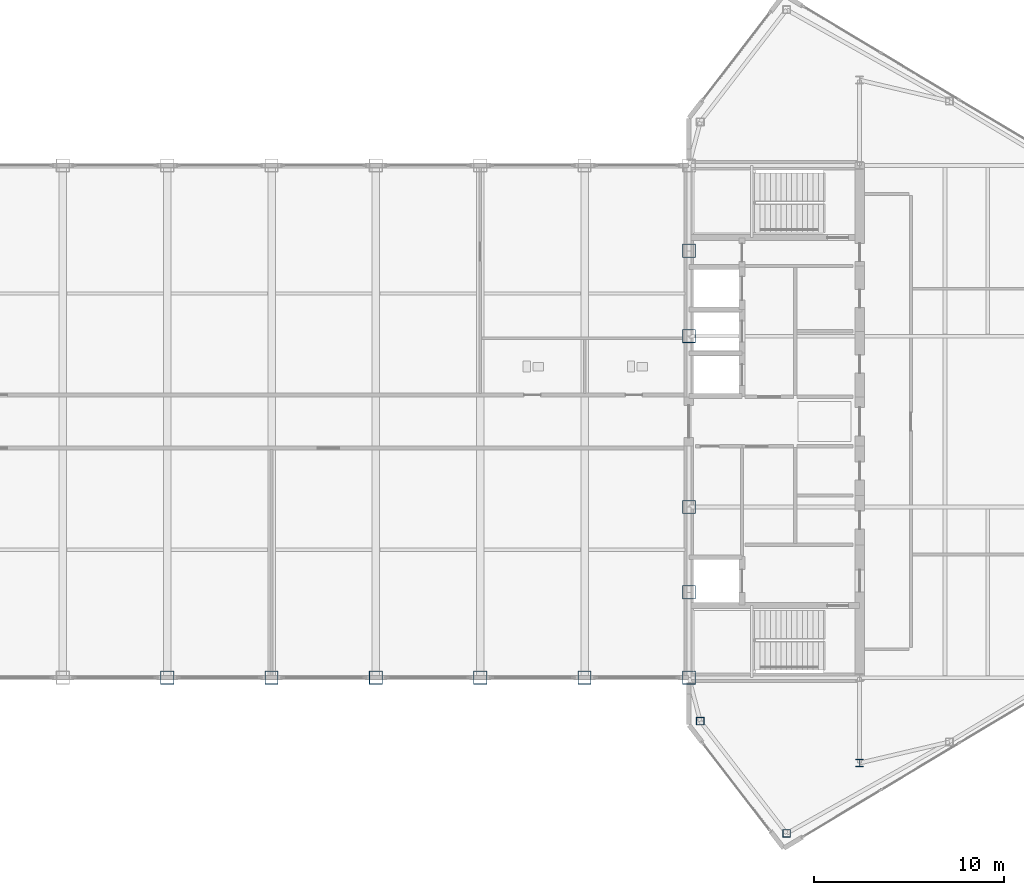
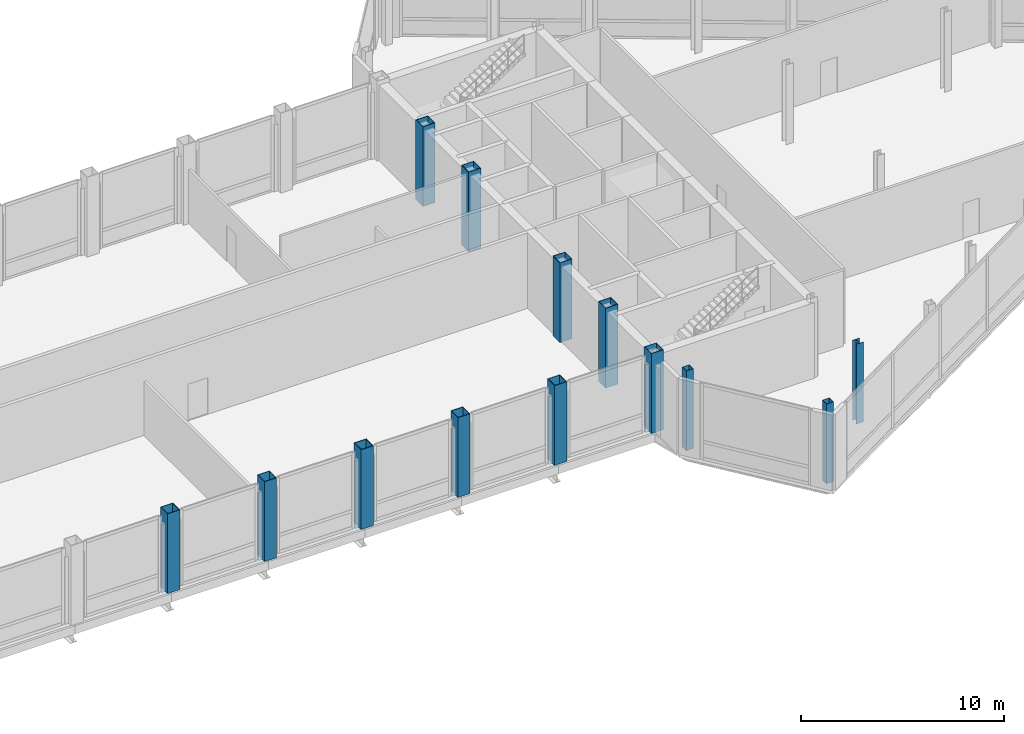
# One storey, part 4 of 29: 13 columns.
"""IFC4 building model written with IfcOpenShell, lengths in metres."""

from ifc_helpers import new_model, si_unit, direction, frame, origin, origin_2d, place, context, subcontext, project, spatial, hollow_rectangle, i_section, extrude, source, transform, mapped, material, material_profile, profile_set, type_object, type_shapes, element, save


model = new_model("IFC4")

# Units and contexts
model_context = context("Model", 3, precision=1e-05, world=origin(), true_north=direction((0.0, 1.0)))
body_context = subcontext(model_context, "Body", "Model", "MODEL_VIEW")
ifc_project = project(units=[si_unit("LENGTHUNIT", "METRE"), si_unit("AREAUNIT", "SQUARE_METRE"), si_unit("VOLUMEUNIT", "CUBIC_METRE"), si_unit("PLANEANGLEUNIT", "RADIAN"), si_unit("MASSUNIT", "GRAM", prefix="KILO")], contexts=[model_context])

# Site, building, storey
site_placement = place(None, origin())
site = spatial("IfcSite", under=ifc_project, at=site_placement, CompositionType="ELEMENT")
building_placement = place(site_placement, origin())
building = spatial("IfcBuilding", under=site, at=building_placement, Name="Seokmaru Belvedere", CompositionType="ELEMENT")
storey_placement = place(building_placement, frame((0.0, 0.0, 269.39990234375)))
storey = spatial("IfcBuildingStorey", under=building, at=storey_placement, Name="L71", CompositionType="ELEMENT", Elevation=269.39990234375)

# Columns
ifc_material = material(Name="Steel SM355 (355 MPa)", Category="steel")
ifc_material_profile_1 = material_profile(ifc_material, hollow_rectangle(XDim=0.699951171875, YDim=0.699951171875, WallThickness=0.030029296875, at=origin_2d()), Name="BOX-700x700x30")
ifc_profile_set_1 = profile_set([ifc_material_profile_1], Name="Steel SM355 (355 MPa)")
column_type_1 = type_object("IfcColumnType", Name="Upper Spine Column BOX-700", PredefinedType="COLUMN", material=ifc_profile_set_1)
shared_shape_1 = source(origin(), body_context, "Body", "SweptSolid", [
    extrude(hollow_rectangle(XDim=0.699951171875, YDim=0.699951171875, WallThickness=0.030029296875, at=origin_2d()), origin(), (0.0, 0.0, 1.0), 4.800048828125),
])
type_shapes(column_type_1, [shared_shape_1])
for number, where, z_axis, x_axis, name in (
    (1, (27.5, -13.5, 0.0), (0.0, 0.0, 1.0), (1.0, 0.0, 0.0), "L71 Column ES1"),
    (2, (27.5, -9.0, 0.0), (0.0, 0.0, 1.0), (1.0, 0.0, 0.0), "L71 Column ES2"),
    (3, (27.5, -4.5, 0.0), (0.0, 0.0, 1.0), (1.0, 0.0, 0.0), "L71 Column ES3"),
    (4, (27.5, 4.5, 0.0), (0.0, 0.0, 1.0), (1.0, 0.0, 0.0), "L71 Column ES4"),
    (5, (27.5, 9.0, 0.0), (0.0, 0.0, 1.0), (1.0, 0.0, 0.0), "L71 Column ES5"),
    (6, (0.0, -13.5, 0.0), (0.0, 0.0, 1.0), (1.0, 0.0, 0.0), "L71 Column BRS_5"),
    (7, (5.5, -13.5, 0.0), (0.0, 0.0, 1.0), (1.0, 0.0, 0.0), "L71 Column BRS_6"),
    (8, (11.0, -13.5, 0.0), (0.0, 0.0, 1.0), (1.0, 0.0, 0.0), "L71 Column BRS_7"),
    (9, (16.5, -13.5, 0.0), (0.0, 0.0, 1.0), (1.0, 0.0, 0.0), "L71 Column BRS_8"),
    (10, (22.0, -13.5, 0.0), (0.0, 0.0, 1.0), (1.0, 0.0, 0.0), "L71 Column BRS_9"),
):
    element("IfcColumn", number, at=place(storey_placement, frame(where, z_axis=z_axis, x_axis=x_axis)), inside=storey, type_object=column_type_1, Name=name, PredefinedType="COLUMN", context=body_context, shape_type="MappedRepresentation", body=[
        mapped(shared_shape_1, transform((0.0, 0.0, 0.0), scale=1.0)),
    ])
ifc_material_profile_2 = material_profile(ifc_material, hollow_rectangle(XDim=0.39990234375, YDim=0.39990234375, WallThickness=0.01611328125, at=origin_2d()), Name="HSS-400x400x16")
ifc_profile_set_2 = profile_set([ifc_material_profile_2], Name="Steel SM355 (355 MPa)")
column_type_2 = type_object("IfcColumnType", Name="Perimeter Facet Column HSS-400", PredefinedType="COLUMN", material=ifc_profile_set_2)
shared_shape_2 = source(origin(), body_context, "Body", "SweptSolid", [
    extrude(hollow_rectangle(XDim=0.39990234375, YDim=0.39990234375, WallThickness=0.01611328125, at=origin_2d()), origin(), (0.0, 0.0, 1.0), 4.800048828125),
])
type_shapes(column_type_2, [shared_shape_2])
for number, where, z_axis, x_axis, name in (
    (11, (32.649658203125, -21.71044921875, 0.0), (0.0, 0.0, 1.0), (1.0, 0.0, 0.0), "L71 Column EF1"),
    (12, (28.10009765625, -15.7958984375, 0.0), (0.0, 0.0, 1.0), (1.0, 0.0, 0.0), "L71 Column EF6"),
):
    element("IfcColumn", number, at=place(storey_placement, frame(where, z_axis=z_axis, x_axis=x_axis)), inside=storey, type_object=column_type_2, Name=name, PredefinedType="COLUMN", context=body_context, shape_type="MappedRepresentation", body=[
        mapped(shared_shape_2, transform((0.0, 0.0, 0.0), scale=1.0)),
    ])
ifc_material_profile_3 = material_profile(ifc_material, i_section(OverallWidth=0.39990234375, OverallDepth=0.39990234375, WebThickness=0.012939453125, FlangeThickness=0.02099609375, at=origin_2d()), Name="H-400x400x13x21")
ifc_profile_set_3 = profile_set([ifc_material_profile_3], Name="Steel SM355 (355 MPa)")
column_type_3 = type_object("IfcColumnType", Name="Observatory Column H-400", PredefinedType="COLUMN", material=ifc_profile_set_3)
shared_shape_3 = source(origin(), body_context, "Body", "SweptSolid", [
    extrude(i_section(OverallWidth=0.39990234375, OverallDepth=0.39990234375, WebThickness=0.012939453125, FlangeThickness=0.02099609375, at=origin_2d()), origin(), (0.0, 0.0, 1.0), 4.800048828125),
])
type_shapes(column_type_3, [shared_shape_3])
column_placement = place(storey_placement, frame((36.5, -18.0, 0.0), z_axis=(0.0, 0.0, 1.0), x_axis=(1.0, 0.0, 0.0)))
element("IfcColumn", 13, at=column_placement, inside=storey, type_object=column_type_3, Name="L71 Column EC1", PredefinedType="COLUMN", context=body_context, shape_type="MappedRepresentation", body=[
    mapped(shared_shape_3, transform((0.0, 0.0, 0.0), scale=1.0)),
])

save(model, "model.ifc")
